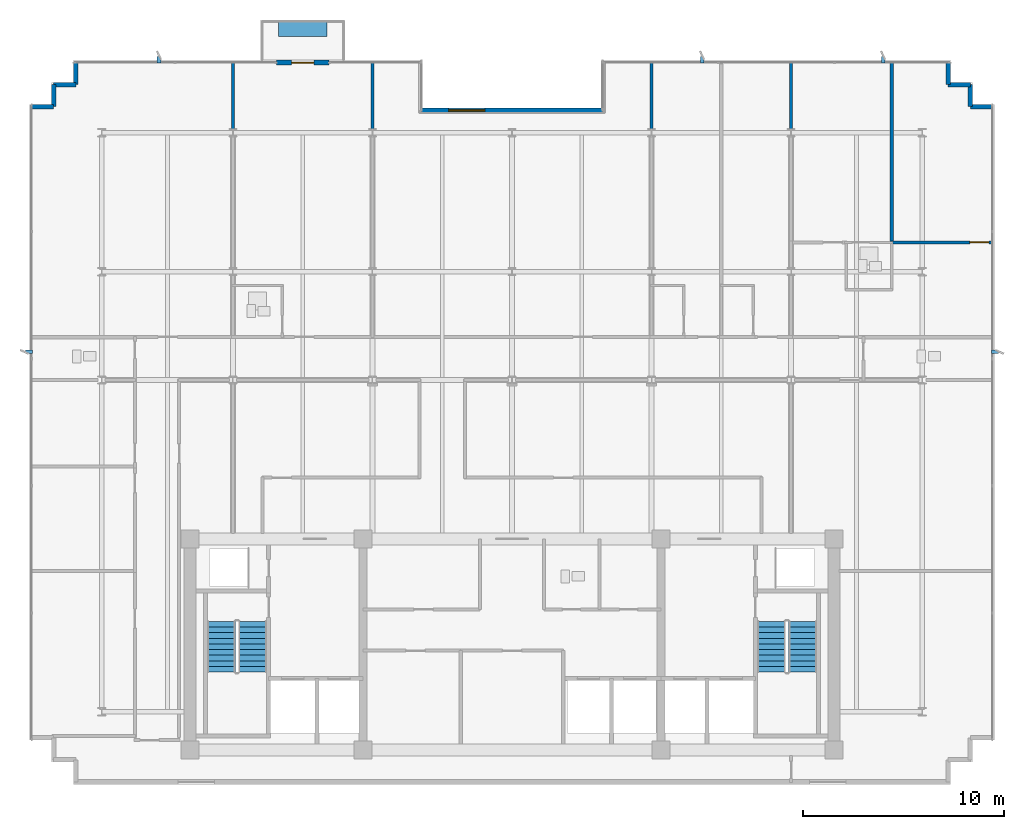
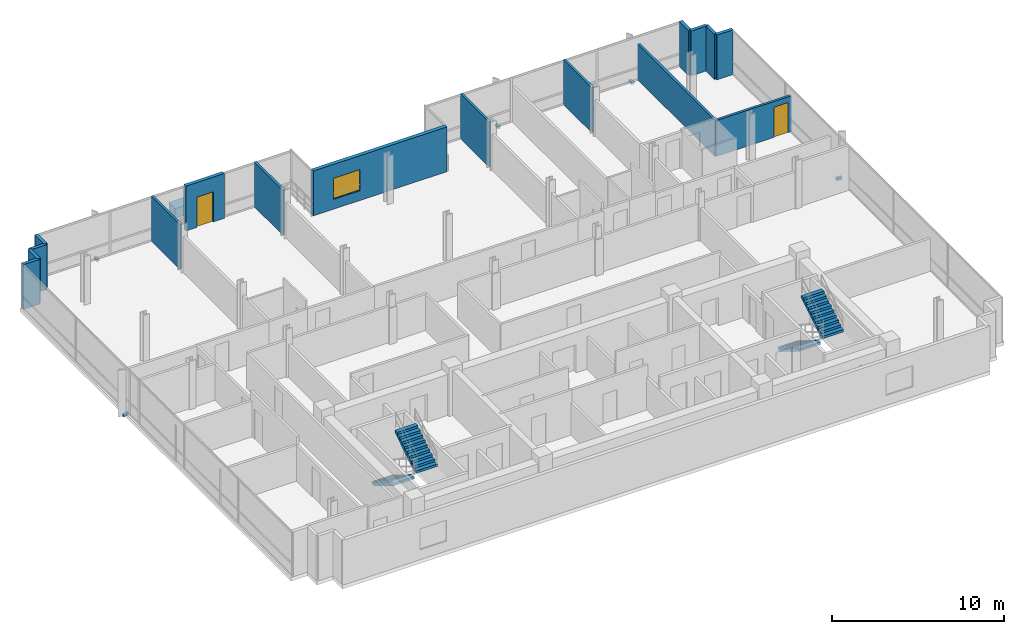
# One storey, part 14 of 17: 16 walls, 6 discrete accessories, 4 stair flights, 2 doors, 1 window, 3 openings, 2 elements without a shape of their own.
"""IFC4 building model written with IfcOpenShell, lengths in metres."""

from ifc_helpers import new_model, si_unit, direction, frame, frame_2d, origin, origin_2d, place, context, subcontext, project, spatial, polyline, rectangle, outline, extrude, material, layer, layer_set, type_object, element, fill, aggregate, save


model = new_model("IFC4")

# Units and contexts
model_context = context("Model", 3, precision=1e-05, world=origin(), true_north=direction((0.0, 1.0)))
body_context = subcontext(model_context, "Body", "Model", "MODEL_VIEW")
ifc_project = project(units=[si_unit("LENGTHUNIT", "METRE"), si_unit("AREAUNIT", "SQUARE_METRE"), si_unit("VOLUMEUNIT", "CUBIC_METRE"), si_unit("PLANEANGLEUNIT", "RADIAN"), si_unit("MASSUNIT", "GRAM", prefix="KILO")], contexts=[model_context])

# Site, building, storey
site_placement = place(None, origin())
site = spatial("IfcSite", under=ifc_project, at=site_placement, CompositionType="ELEMENT")
building_placement = place(site_placement, origin())
building = spatial("IfcBuilding", under=site, at=building_placement, Name="Solmavex Isthmus Hotel", CompositionType="ELEMENT")
storey_placement = place(building_placement, frame((0.0, 0.0, 269.550048828125)))
storey = spatial("IfcBuildingStorey", under=building, at=storey_placement, Name="L73", CompositionType="ELEMENT", Elevation=269.550048828125)

# Wall, opening, window
ifc_material_1 = material(Name="Precast Concrete C40/50", Category="concrete")
ifc_layer_1 = layer(ifc_material_1, 0.25)
ifc_layer_set_1 = layer_set([ifc_layer_1], Name="Precast Concrete C40/50")
wall_type_1 = type_object("IfcWallType", Name="EW-TWR-250", PredefinedType="STANDARD", material=ifc_layer_set_1)
wall_1_placement = place(storey_placement, frame((-4.5, 18.800048828125, 0.0), z_axis=(0.0, 0.0, 1.0), x_axis=(1.0, 0.0, 0.0)))
wall_1 = element("IfcWall", 1, at=wall_1_placement, inside=storey, type_object=wall_type_1, Name="Sky Garden Back Facade Wall L73", PredefinedType="STANDARD", context=body_context, shape_type="SweptSolid", body=[
    extrude(rectangle(XDim=9.0, YDim=0.25, at=frame_2d((4.5, 0.0))), origin(), (0.0, 0.0, 1.0), 3.18994140625),
])
opening_1_placement = place(wall_1_placement, frame((1.35009765625, 0.0, 0.699951171875)))
opening_1 = element("IfcOpeningElement", 2, at=opening_1_placement, cuts=wall_1, Name="Opening WN-02", PredefinedType="OPENING", context=body_context, shape_type="SweptSolid", body=[
    extrude(rectangle(XDim=1.800048828125, YDim=1.5, at=frame_2d((0.89990234375, 0.75))), frame((0.0, 0.135009765625, 0.0), z_axis=(0.0, -1.0, 0.0), x_axis=(1.0, 0.0, 0.0)), (0.0, 0.0, 1.0), 0.27001953125),
])
ifc_material_2 = material(Name="Clear low-E laminated glass", Category="glass")
window_type = type_object("IfcWindowType", Name="WIN-TWR-1800", PartitioningType="SINGLE_PANEL", PredefinedType="WINDOW", material=ifc_material_2)
window_placement = place(opening_1_placement, origin())
window = element("IfcWindow", 3, at=window_placement, inside=storey, type_object=window_type, Name="Sky Garden Overlook Window L73", OverallHeight=1.5, OverallWidth=1.800048828125, PartitioningType="SINGLE_PANEL", PredefinedType="WINDOW", context=body_context, shape_type="SweptSolid", body=[
    extrude(rectangle(XDim=1.800048828125, YDim=1.5, at=frame_2d((0.89990234375, 0.75))), frame((0.0, 0.030029296875, 0.0), z_axis=(0.0, -1.0, 0.0), x_axis=(1.0, 0.0, 0.0)), (0.0, 0.0, 1.0), 0.06005859375),
])
fill(opening_1, window)

# Wall, opening, door
wall_2_placement = place(storey_placement, frame((-11.7041015625, 21.179931640625, 0.0), z_axis=(0.0, 0.0, 1.0), x_axis=(1.0, 0.0, 0.0)))
wall_2 = element("IfcWall", 4, at=wall_2_placement, inside=storey, type_object=wall_type_1, Name="Exterior Balcony Door Wall L73-2", PredefinedType="STANDARD", context=body_context, shape_type="SweptSolid", body=[
    extrude(rectangle(XDim=2.60009765625, YDim=0.239990234375, at=frame_2d((1.300048828125, 0.0))), origin(), (0.0, 0.0, 1.0), 3.18994140625),
])
opening_2_placement = place(wall_2_placement, frame((0.75, 0.0, 0.0)))
opening_2 = element("IfcOpeningElement", 5, at=opening_2_placement, cuts=wall_2, Name="Opening ED-02", PredefinedType="OPENING", context=body_context, shape_type="SweptSolid", body=[
    extrude(rectangle(XDim=1.10009765625, YDim=2.14990234375, at=frame_2d((0.550048828125, 1.074951171875))), frame((0.0, 0.1298828125, 0.0), z_axis=(0.0, -1.0, 0.0), x_axis=(1.0, 0.0, 0.0)), (0.0, 0.0, 1.0), 0.260009765625),
])
ifc_material_3 = material(Name="Aluminium alloy 6063-T6", Category="aluminium")
door_type_1 = type_object("IfcDoorType", Name="EDR-BALC-1100", OperationType="NOTDEFINED", PredefinedType="DOOR", material=ifc_material_3)
door_1_placement = place(opening_2_placement, origin())
door_1 = element("IfcDoor", 6, at=door_1_placement, inside=storey, type_object=door_type_1, Name="Balcony & Terrace Glazed Door L73-2", OperationType="SINGLE_SWING_RIGHT", OverallHeight=2.14990234375, OverallWidth=1.10009765625, PredefinedType="DOOR", context=body_context, shape_type="SweptSolid", body=[
    extrude(rectangle(XDim=1.10009765625, YDim=2.14990234375, at=frame_2d((0.550048828125, 1.074951171875))), frame((0.0, 0.02490234375, 0.0), z_axis=(0.0, -1.0, 0.0), x_axis=(1.0, 0.0, 0.0)), (0.0, 0.0, 1.0), 0.050048828125),
])
fill(opening_2, door_1)

# Walls
wall_3_placement = place(storey_placement, frame((-23.889892578125, 18.989990234375, 0.0), z_axis=(0.0, 0.0, 1.0), x_axis=(1.0, 0.0, 0.0)))
element("IfcWall", 7, at=wall_3_placement, inside=storey, type_object=wall_type_1, Name="Serrated Corner Facade Panel L73-06", PredefinedType="STANDARD", context=body_context, shape_type="SweptSolid", body=[
    extrude(rectangle(XDim=1.099853515625, YDim=0.219970703125, at=frame_2d((0.5498046875, 0.0))), origin(), (0.0, 0.0, 1.0), 3.18994140625),
])
for number, where, z_axis, x_axis, name in (
    (8, (-22.7900390625, 18.989990234375, 0.0), (0.0, 0.0, 1.0), (0.0, 1.0, 0.0), "Serrated Corner Facade Panel L73-07"),
    (9, (-22.7900390625, 20.090087890625, 0.0), (0.0, 0.0, 1.0), (1.0, 0.0, 0.0), "Serrated Corner Facade Panel L73-08"),
):
    element("IfcWall", number, at=place(storey_placement, frame(where, z_axis=z_axis, x_axis=x_axis)), inside=storey, type_object=wall_type_1, Name=name, PredefinedType="STANDARD", context=body_context, shape_type="SweptSolid", body=[
        extrude(rectangle(XDim=1.10009765625, YDim=0.219970703125, at=frame_2d((0.550048828125, 0.0))), origin(), (0.0, 0.0, 1.0), 3.18994140625),
    ])
for number, where, z_axis, x_axis, name in (
    (10, (-21.68994140625, 20.090087890625, 0.0), (0.0, 0.0, 1.0), (0.0, 1.0, 0.0), "Serrated Corner Facade Panel L73-09"),
    (11, (21.68994140625, 21.18994140625, 0.0), (0.0, 0.0, 1.0), (0.0, -1.0, 0.0), "Serrated Corner Facade Panel L73-11"),
):
    element("IfcWall", number, at=place(storey_placement, frame(where, z_axis=z_axis, x_axis=x_axis)), inside=storey, type_object=wall_type_1, Name=name, PredefinedType="STANDARD", context=body_context, shape_type="SweptSolid", body=[
        extrude(rectangle(XDim=1.099853515625, YDim=0.219970703125, at=frame_2d((0.5498046875, 0.0))), origin(), (0.0, 0.0, 1.0), 3.18994140625),
    ])
for number, where, z_axis, x_axis, name in (
    (12, (21.68994140625, 20.090087890625, 0.0), (0.0, 0.0, 1.0), (1.0, 0.0, 0.0), "Serrated Corner Facade Panel L73-12"),
    (13, (22.7900390625, 20.090087890625, 0.0), (0.0, 0.0, 1.0), (0.0, -1.0, 0.0), "Serrated Corner Facade Panel L73-13"),
):
    element("IfcWall", number, at=place(storey_placement, frame(where, z_axis=z_axis, x_axis=x_axis)), inside=storey, type_object=wall_type_1, Name=name, PredefinedType="STANDARD", context=body_context, shape_type="SweptSolid", body=[
        extrude(rectangle(XDim=1.10009765625, YDim=0.219970703125, at=frame_2d((0.550048828125, 0.0))), origin(), (0.0, 0.0, 1.0), 3.18994140625),
    ])
wall_4_placement = place(storey_placement, frame((22.7900390625, 18.989990234375, 0.0), z_axis=(0.0, 0.0, 1.0), x_axis=(1.0, 0.0, 0.0)))
element("IfcWall", 14, at=wall_4_placement, inside=storey, type_object=wall_type_1, Name="Serrated Corner Facade Panel L73-14", PredefinedType="STANDARD", context=body_context, shape_type="SweptSolid", body=[
    extrude(rectangle(XDim=1.099853515625, YDim=0.219970703125, at=frame_2d((0.5498046875, 0.0))), origin(), (0.0, 0.0, 1.0), 3.18994140625),
])
ifc_material_4 = material(Name="Gypsum plasterboard lining", Category="gypsum")
ifc_layer_2 = layer(ifc_material_4, 0.159912109375)
ifc_layer_set_2 = layer_set([ifc_layer_2], Name="Gypsum plasterboard lining")
wall_type_2 = type_object("IfcWallType", Name="IW-COMP-160", PredefinedType="PARTITIONING", material=ifc_layer_set_2)
for number, where, z_axis, x_axis, name in (
    (15, (-13.8720703125, 21.219970703125, 0.0), (0.0, 0.0, 1.0), (0.0, -1.0, 0.0), "Interior Partition Wall W-L73-P035"),
    (16, (-6.93603515625, 21.219970703125, 0.0), (0.0, 0.0, 1.0), (0.0, -1.0, 0.0), "Interior Partition Wall W-L73-P041"),
    (17, (6.93603515625, 21.219970703125, 0.0), (0.0, 0.0, 1.0), (0.0, -1.0, 0.0), "Interior Partition Wall W-L73-P044"),
    (18, (13.8720703125, 21.219970703125, 0.0), (0.0, 0.0, 1.0), (0.0, -1.0, 0.0), "Interior Partition Wall W-L73-P054"),
):
    element("IfcWall", number, at=place(storey_placement, frame(where, z_axis=z_axis, x_axis=x_axis)), inside=storey, type_object=wall_type_2, Name=name, PredefinedType="PARTITIONING", context=body_context, shape_type="SweptSolid", body=[
        extrude(rectangle(XDim=3.344970703125, YDim=0.159912109375, at=frame_2d((1.67236328125, 0.0))), origin(), (0.0, 0.0, 1.0), 3.18994140625),
    ])

# Wall, opening, door
wall_5_placement = place(storey_placement, frame((18.8359375, 12.238037109375, 0.0), z_axis=(0.0, 0.0, 1.0), x_axis=(1.0, 0.0, 0.0)))
wall_5 = element("IfcWall", 19, at=wall_5_placement, inside=storey, type_object=wall_type_2, Name="Interior Partition Wall W-L73-P056", PredefinedType="PARTITIONING", context=body_context, shape_type="SweptSolid", body=[
    extrude(rectangle(XDim=5.083984375, YDim=0.159912109375, at=frame_2d((2.5419921875, 0.0))), origin(), (0.0, 0.0, 1.0), 2.557373046875),
])
opening_3_placement = place(wall_5_placement, frame((3.924072265625, 0.0, 0.0)))
opening_3 = element("IfcOpeningElement", 20, at=opening_3_placement, cuts=wall_5, Name="Opening ID-C095", PredefinedType="OPENING", context=body_context, shape_type="SweptSolid", body=[
    extrude(rectangle(XDim=0.949951171875, YDim=2.14990234375, at=frame_2d((0.47509765625, 1.074951171875))), frame((0.0, 0.08984375, 0.0), z_axis=(0.0, -1.0, 0.0), x_axis=(1.0, 0.0, 0.0)), (0.0, 0.0, 1.0), 0.179931640625),
])
ifc_material_5 = material(Name="Hardwood timber", Category="wood")
door_type_2 = type_object("IfcDoorType", Name="IDR-FD60-0950", OperationType="NOTDEFINED", PredefinedType="DOOR", material=ifc_material_5)
door_2_placement = place(opening_3_placement, origin())
door_2 = element("IfcDoor", 21, at=door_2_placement, inside=storey, type_object=door_type_2, Name="Ambassador Panorama Suite Panorama Sitting Study Door L73-11", OperationType="SINGLE_SWING_LEFT", OverallHeight=2.14990234375, OverallWidth=0.949951171875, PredefinedType="DOOR", context=body_context, shape_type="SweptSolid", body=[
    extrude(rectangle(XDim=0.949951171875, YDim=2.14990234375, at=frame_2d((0.47509765625, 1.074951171875))), frame((0.0, 0.02490234375, 0.0), z_axis=(0.0, -1.0, 0.0), x_axis=(1.0, 0.0, 0.0)), (0.0, 0.0, 1.0), 0.050048828125),
])
fill(opening_3, door_2)

# Wall
wall_6_placement = place(storey_placement, frame((18.8759765625, 21.219970703125, 0.0), z_axis=(0.0, 0.0, 1.0), x_axis=(0.0, -1.0, 0.0)))
element("IfcWall", 22, at=wall_6_placement, inside=storey, type_object=wall_type_2, Name="Interior Partition Wall W-L73-P061", PredefinedType="PARTITIONING", context=body_context, shape_type="SweptSolid", body=[
    extrude(rectangle(XDim=9.02197265625, YDim=0.159912109375, at=frame_2d((4.510986328125, 0.0))), origin(), (0.0, 0.0, 1.0), 2.557373046875),
])

# Stair, stair flights
ifc_material_6 = material(Name="Concrete C40/50", Category="concrete")
stair_type_1 = type_object("IfcStairType", Name="STR-ST-1", PredefinedType="HALF_TURN_STAIR", material=ifc_material_6)
stair_1_placement = place(storey_placement, origin())
stair_1 = element("IfcStair", 23, at=stair_1_placement, inside=storey, type_object=stair_type_1, Name="L73 Protected Exit Stair ST-1", PredefinedType="HALF_TURN_STAIR")
stair_flight_type_1 = type_object("IfcStairFlightType", Name="SFL-ST-1", PredefinedType="STRAIGHT", material=ifc_material_6)
stair_flight_1_placement = place(storey_placement, frame((-14.449951171875, -6.60009765625, 0.0), z_axis=(0.0, 0.0, 1.0), x_axis=(0.0, -1.0, 0.0)))
stair_flight_1 = element("IfcStairFlight", 24, at=stair_flight_1_placement, type_object=stair_flight_type_1, Name="ST-1 flight 1", NumberOfRisers=10, NumberOfTreads=9, PredefinedType="STRAIGHT", RiserHeight=0.1725, TreadLength=0.28, context=body_context, shape_type="SweptSolid", body=[
    extrude(outline(polyline([(0.0, 0.0), (0.0, 0.172607421875), (0.280029296875, 0.172607421875), (0.280029296875, 0.344970703125), (0.56005859375, 0.344970703125), (0.56005859375, 0.517578125), (0.840087890625, 0.517578125), (0.840087890625, 0.68994140625), (1.1201171875, 0.68994140625), (1.1201171875, 0.862548828125), (1.39990234375, 0.862548828125), (1.39990234375, 1.034912109375), (1.679931640625, 1.034912109375), (1.679931640625, 1.20751953125), (1.9599609375, 1.20751953125), (1.9599609375, 1.3798828125), (2.239990234375, 1.3798828125), (2.239990234375, 1.552490234375), (2.52001953125, 1.552490234375), (2.52001953125, 1.72509765625), (2.52001953125, 1.37646484375), (0.285888671875, 0.0), (0.0, 0.0)])), frame((0.0, 0.699951171875, 0.0), z_axis=(0.0, -1.0, 0.0), x_axis=(1.0, 0.0, 0.0)), (0.0, 0.0, 1.0), 1.39990234375),
])
stair_flight_2_placement = place(storey_placement, frame((-12.89990234375, -9.1201171875, 1.724853515625), z_axis=(0.0, 0.0, 1.0), x_axis=(0.0, 1.0, 0.0)))
stair_flight_2 = element("IfcStairFlight", 25, at=stair_flight_2_placement, type_object=stair_flight_type_1, Name="ST-1 flight 2", NumberOfRisers=10, NumberOfTreads=9, PredefinedType="STRAIGHT", RiserHeight=0.1725, TreadLength=0.28, context=body_context, shape_type="SweptSolid", body=[
    extrude(outline(polyline([(0.0, 0.0), (0.0, 0.172607421875), (0.280029296875, 0.172607421875), (0.280029296875, 0.344970703125), (0.56005859375, 0.344970703125), (0.56005859375, 0.517578125), (0.840087890625, 0.517578125), (0.840087890625, 0.68994140625), (1.1201171875, 0.68994140625), (1.1201171875, 0.862548828125), (1.39990234375, 0.862548828125), (1.39990234375, 1.034912109375), (1.679931640625, 1.034912109375), (1.679931640625, 1.20751953125), (1.9599609375, 1.20751953125), (1.9599609375, 1.3798828125), (2.239990234375, 1.3798828125), (2.239990234375, 1.552490234375), (2.52001953125, 1.552490234375), (2.52001953125, 1.72509765625), (2.52001953125, 1.37646484375), (0.285888671875, 0.0), (0.0, 0.0)])), frame((0.0, 0.699951171875, 0.0), z_axis=(0.0, -1.0, 0.0), x_axis=(1.0, 0.0, 0.0)), (0.0, 0.0, 1.0), 1.39990234375),
])
aggregate(stair_1, [stair_flight_1, stair_flight_2])

stair_type_2 = type_object("IfcStairType", Name="STR-ST-2", PredefinedType="HALF_TURN_STAIR", material=ifc_material_6)
stair_2_placement = place(storey_placement, origin())
stair_2 = element("IfcStair", 26, at=stair_2_placement, inside=storey, type_object=stair_type_2, Name="L73 Protected Exit Stair ST-2", PredefinedType="HALF_TURN_STAIR")
stair_flight_type_2 = type_object("IfcStairFlightType", Name="SFL-ST-2", PredefinedType="STRAIGHT", material=ifc_material_6)
stair_flight_3_placement = place(storey_placement, frame((12.89990234375, -6.60009765625, 0.0), z_axis=(0.0, 0.0, 1.0), x_axis=(0.0, -1.0, 0.0)))
stair_flight_3 = element("IfcStairFlight", 27, at=stair_flight_3_placement, type_object=stair_flight_type_2, Name="ST-2 flight 1", NumberOfRisers=10, NumberOfTreads=9, PredefinedType="STRAIGHT", RiserHeight=0.1725, TreadLength=0.28, context=body_context, shape_type="SweptSolid", body=[
    extrude(outline(polyline([(0.0, 0.0), (0.0, 0.172607421875), (0.280029296875, 0.172607421875), (0.280029296875, 0.344970703125), (0.56005859375, 0.344970703125), (0.56005859375, 0.517578125), (0.840087890625, 0.517578125), (0.840087890625, 0.68994140625), (1.1201171875, 0.68994140625), (1.1201171875, 0.862548828125), (1.39990234375, 0.862548828125), (1.39990234375, 1.034912109375), (1.679931640625, 1.034912109375), (1.679931640625, 1.20751953125), (1.9599609375, 1.20751953125), (1.9599609375, 1.3798828125), (2.239990234375, 1.3798828125), (2.239990234375, 1.552490234375), (2.52001953125, 1.552490234375), (2.52001953125, 1.72509765625), (2.52001953125, 1.37646484375), (0.285888671875, 0.0), (0.0, 0.0)])), frame((0.0, 0.699951171875, 0.0), z_axis=(0.0, -1.0, 0.0), x_axis=(1.0, 0.0, 0.0)), (0.0, 0.0, 1.0), 1.39990234375),
])
stair_flight_4_placement = place(storey_placement, frame((14.449951171875, -9.1201171875, 1.724853515625), z_axis=(0.0, 0.0, 1.0), x_axis=(0.0, 1.0, 0.0)))
stair_flight_4 = element("IfcStairFlight", 28, at=stair_flight_4_placement, type_object=stair_flight_type_2, Name="ST-2 flight 2", NumberOfRisers=10, NumberOfTreads=9, PredefinedType="STRAIGHT", RiserHeight=0.1725, TreadLength=0.28, context=body_context, shape_type="SweptSolid", body=[
    extrude(outline(polyline([(0.0, 0.0), (0.0, 0.172607421875), (0.280029296875, 0.172607421875), (0.280029296875, 0.344970703125), (0.56005859375, 0.344970703125), (0.56005859375, 0.517578125), (0.840087890625, 0.517578125), (0.840087890625, 0.68994140625), (1.1201171875, 0.68994140625), (1.1201171875, 0.862548828125), (1.39990234375, 0.862548828125), (1.39990234375, 1.034912109375), (1.679931640625, 1.034912109375), (1.679931640625, 1.20751953125), (1.9599609375, 1.20751953125), (1.9599609375, 1.3798828125), (2.239990234375, 1.3798828125), (2.239990234375, 1.552490234375), (2.52001953125, 1.552490234375), (2.52001953125, 1.72509765625), (2.52001953125, 1.37646484375), (0.285888671875, 0.0), (0.0, 0.0)])), frame((0.0, 0.699951171875, 0.0), z_axis=(0.0, -1.0, 0.0), x_axis=(1.0, 0.0, 0.0)), (0.0, 0.0, 1.0), 1.39990234375),
])
aggregate(stair_2, [stair_flight_3, stair_flight_4])

# Discrete accessories
ifc_material_7 = material(Name="Steel ASTM A572 Grade 50", Category="steel")
discrete_accessory_type_1 = type_object("IfcDiscreteAccessoryType", Name="ACC-BRK-FIN", PredefinedType="BRACKET", material=ifc_material_7)
for number, where, z_axis, x_axis, name in (
    (29, (-17.550048828125, 21.320068359375, -0.169921875), (0.0, 0.0, 1.0), (0.0, 1.0, 0.0), "Facade Fin Support Bracket L73-N1"),
    (30, (9.449951171875, 21.320068359375, -0.169921875), (0.0, 0.0, 1.0), (0.0, 1.0, 0.0), "Facade Fin Support Bracket L73-N2"),
    (31, (18.449951171875, 21.320068359375, -0.169921875), (0.0, 0.0, 1.0), (0.0, 1.0, 0.0), "Facade Fin Support Bracket L73-N3"),
    (32, (-24.02001953125, 6.800048828125, -0.169921875), (0.0, 0.0, 1.0), (-1.0, 0.0, 0.0), "Facade Fin Support Bracket L73-W1"),
    (33, (24.02001953125, 6.800048828125, -0.169921875), (0.0, 0.0, 1.0), (1.0, 0.0, 0.0), "Facade Fin Support Bracket L73-E1"),
):
    element("IfcDiscreteAccessory", number, at=place(storey_placement, frame(where, z_axis=z_axis, x_axis=x_axis)), inside=storey, type_object=discrete_accessory_type_1, Name=name, PredefinedType="BRACKET", context=body_context, shape_type="SweptSolid", body=[
        extrude(rectangle(XDim=0.340087890625, YDim=0.179931640625, at=origin_2d()), origin(), (0.0, 0.0, 1.0), 0.159912109375),
    ])
discrete_accessory_type_2 = type_object("IfcDiscreteAccessoryType", Name="ACC-PLN-BALC", PredefinedType="USERDEFINED", material=ifc_material_1)
discrete_accessory_placement = place(storey_placement, frame((-10.404052734375, 22.85009765625, 0.0), z_axis=(0.0, 0.0, 1.0), x_axis=(1.0, 0.0, 0.0)))
element("IfcDiscreteAccessory", 34, at=discrete_accessory_placement, inside=storey, type_object=discrete_accessory_type_2, Name="Tree-Balcony Architectural Planter L73-B1", ObjectType="PLANTER", PredefinedType="USERDEFINED", context=body_context, shape_type="SweptSolid", body=[
    extrude(rectangle(XDim=2.39990234375, YDim=0.75, at=origin_2d()), origin(), (0.0, 0.0, 1.0), 0.699951171875),
])

save(model, "model.ifc")
